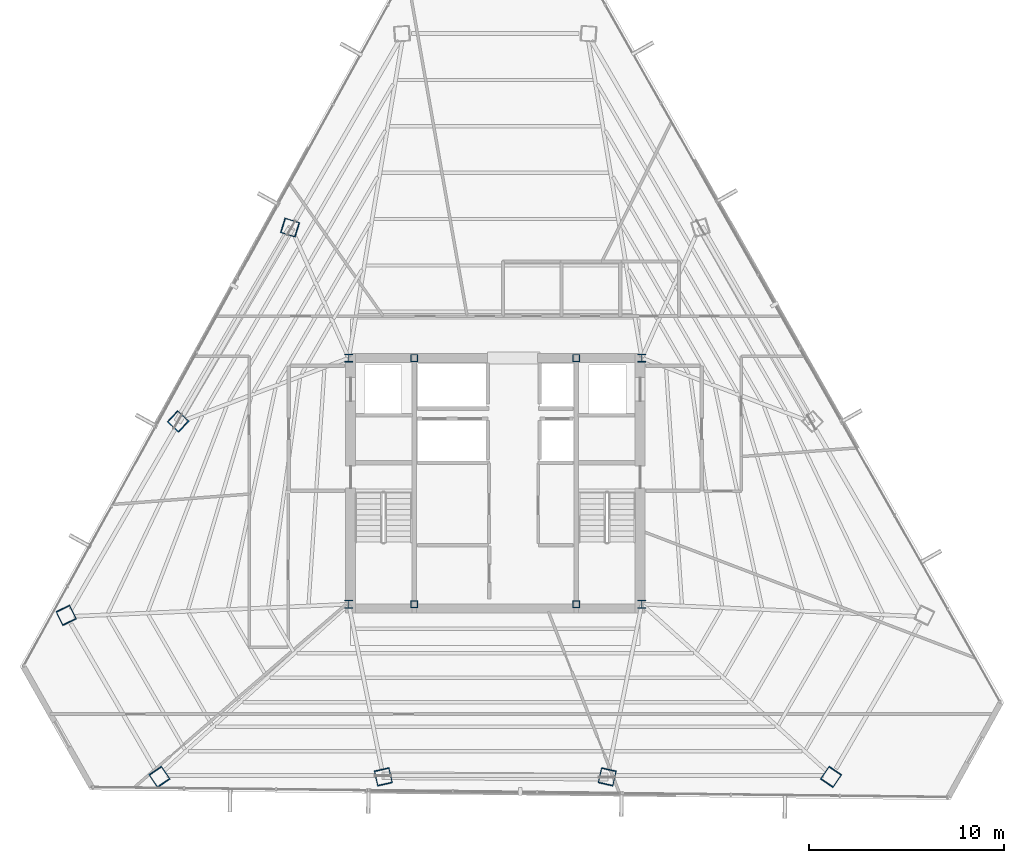
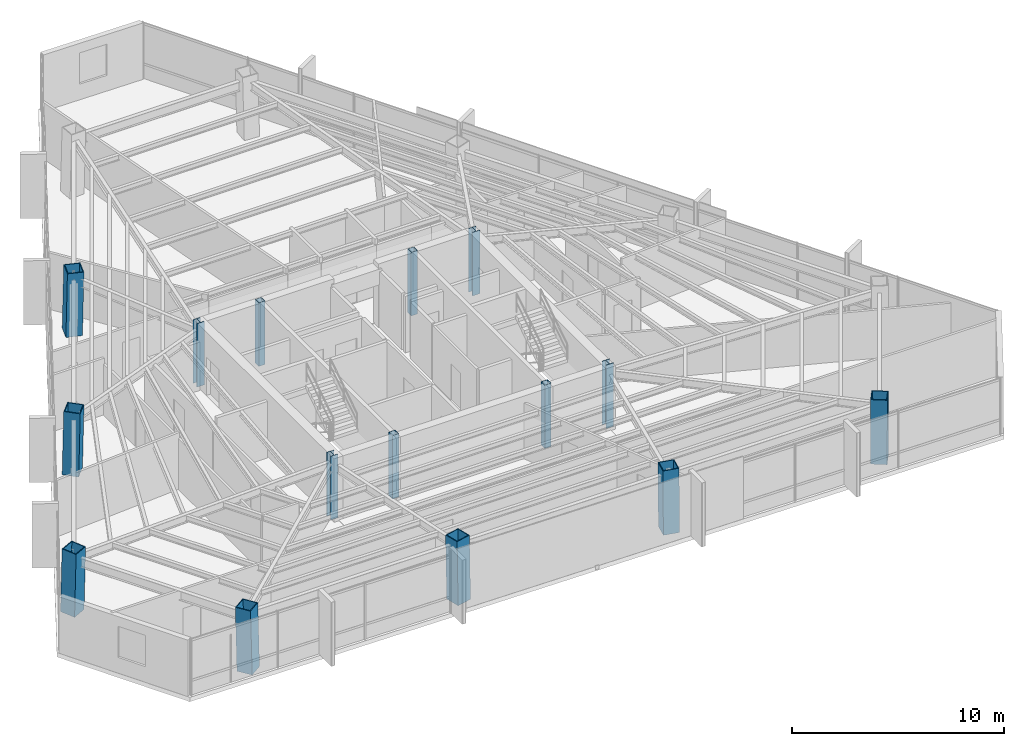
# One storey, part 1 of 40: 15 columns.
"""IFC4 building model written with IfcOpenShell, lengths in metres."""

from ifc_helpers import new_model, si_unit, direction, frame, origin, origin_2d, place, context, subcontext, project, spatial, hollow_rectangle, i_section, extrude, source, transform, mapped, material, material_profile, profile_set, type_object, type_shapes, element, save


model = new_model("IFC4")

# Units and contexts
model_context = context("Model", 3, precision=1e-05, world=origin(), true_north=direction((0.0, 1.0)))
body_context = subcontext(model_context, "Body", "Model", "MODEL_VIEW")
ifc_project = project(units=[si_unit("LENGTHUNIT", "METRE"), si_unit("AREAUNIT", "SQUARE_METRE"), si_unit("VOLUMEUNIT", "CUBIC_METRE"), si_unit("PLANEANGLEUNIT", "RADIAN"), si_unit("MASSUNIT", "GRAM", prefix="KILO")], contexts=[model_context])

# Site, building, storey
site_placement = place(None, origin())
site = spatial("IfcSite", under=ifc_project, at=site_placement, CompositionType="ELEMENT")
building_placement = place(site_placement, origin())
building = spatial("IfcBuilding", under=site, at=building_placement, Name="Caelisora Broadcast Tower", CompositionType="ELEMENT")
storey_placement = place(building_placement, frame((0.0, 0.0, 216.89990234375)))
storey = spatial("IfcBuildingStorey", under=building, at=storey_placement, Name="L57", CompositionType="ELEMENT", Elevation=216.89990234375)

# Columns
ifc_material_1 = material(Name="Steel Grade 350 (AS/NZS 3679.2)", Category="steel")
ifc_material_profile_1 = material_profile(ifc_material_1, i_section(OverallWidth=0.39990234375, OverallDepth=0.39990234375, WebThickness=0.02001953125, FlangeThickness=0.031982421875, at=origin_2d()), Name="Steel Grade 350 (AS/NZS 3679.2)")
ifc_profile_set_1 = profile_set([ifc_material_profile_1], Name="Steel Grade 350 (AS/NZS 3679.2)")
column_type_1 = type_object("IfcColumnType", Name="CC02", PredefinedType="COLUMN", material=ifc_profile_set_1)
shared_shape_1 = source(origin(), body_context, "Body", "SweptSolid", [
    extrude(i_section(OverallWidth=0.39990234375, OverallDepth=0.39990234375, WebThickness=0.02001953125, FlangeThickness=0.031982421875, at=origin_2d()), origin(), (0.0, 0.0, 1.0), 3.650146484375),
])
type_shapes(column_type_1, [shared_shape_1])
for number, where, z_axis, x_axis, name in (
    (1, (30.5, 17.39990234375, 0.0), (0.0, 0.0, 1.0), (1.0, 0.0, 0.0), "L57 column CC02"),
    (2, (45.5, 17.39990234375, 0.0), (0.0, 0.0, 1.0), (1.0, 0.0, 0.0), "L57 column CC02"),
    (3, (45.5, 30.0, 0.0), (0.0, 0.0, 1.0), (1.0, 0.0, 0.0), "L57 column CC02"),
    (4, (30.5, 30.0, 0.0), (0.0, 0.0, 1.0), (1.0, 0.0, 0.0), "L57 column CC02"),
):
    element("IfcColumn", number, at=place(storey_placement, frame(where, z_axis=z_axis, x_axis=x_axis)), inside=storey, type_object=column_type_1, Name=name, PredefinedType="COLUMN", context=body_context, shape_type="MappedRepresentation", body=[
        mapped(shared_shape_1, transform((0.0, 0.0, 0.0), scale=1.0)),
    ])
ifc_material_2 = material(Name="Steel Grade 350 L15 (AS/NZS 3678)", Category="steel")
ifc_material_profile_2 = material_profile(ifc_material_2, hollow_rectangle(XDim=0.800048828125, YDim=0.800048828125, WallThickness=0.044921875, at=origin_2d()), Name="Steel Grade 350 L15 (AS/NZS 3678)")
ifc_profile_set_2 = profile_set([ifc_material_profile_2], Name="Steel Grade 350 L15 (AS/NZS 3678)")
column_type_2 = type_object("IfcColumnType", Name="MC05", PredefinedType="COLUMN", material=ifc_profile_set_2)
shared_shape_2 = source(origin(), body_context, "Body", "SweptSolid", [
    extrude(hollow_rectangle(XDim=0.800048828125, YDim=0.800048828125, WallThickness=0.044921875, at=origin_2d()), origin(), (0.0, 0.0, 1.0), 3.65087890625),
])
for number, where, z_axis, x_axis, name in (
    (5, (27.483154296875, 36.685302734375, 0.0), (0.019392689002, -0.006085292066, 0.99979342508), (0.299398805134, 0.954128060317, 0.0), "L57 column MC05"),
    (6, (21.755859375, 26.765380859375, 0.0), (0.014912302561, -0.01384236157, 0.999792984702), (0.680325028146, 0.732910537568, 0.0), "L57 column MC05"),
    (7, (32.272705078125, 8.549560546875, 0.0), (-0.004480382638, 0.019793929266, 0.999794042058), (-0.975326687046, -0.220766513622, 0.0), "L57 column MC05"),
    (8, (43.727294921875, 8.549560546875, 0.0), (0.004480382638, 0.019793929266, 0.999794042058), (-0.975326687046, 0.220766513622, 0.0), "L57 column MC05"),
):
    element("IfcColumn", number, at=place(storey_placement, frame(where, z_axis=z_axis, x_axis=x_axis)), inside=storey, type_object=column_type_2, Name=name, PredefinedType="COLUMN", context=body_context, shape_type="MappedRepresentation", body=[
        mapped(shared_shape_2, transform((0.0, 0.0, 0.0), scale=1.0)),
    ])
ifc_material_3 = material(Name="Steel Grade 350 (AS/NZS 1163 C350L0)", Category="steel")
ifc_material_profile_3 = material_profile(ifc_material_3, hollow_rectangle(XDim=0.35009765625, YDim=0.35009765625, WallThickness=0.01611328125, at=origin_2d()), Name="Steel Grade 350 (AS/NZS 1163 C350L0)")
ifc_profile_set_3 = profile_set([ifc_material_profile_3], Name="Steel Grade 350 (AS/NZS 1163 C350L0)")
column_type_3 = type_object("IfcColumnType", Name="CC07", PredefinedType="COLUMN", material=ifc_profile_set_3)
shared_shape_3 = source(origin(), body_context, "Body", "SweptSolid", [
    extrude(hollow_rectangle(XDim=0.35009765625, YDim=0.35009765625, WallThickness=0.01611328125, at=origin_2d()), origin(), (0.0, 0.0, 1.0), 3.650146484375),
])
type_shapes(column_type_3, [shared_shape_3])
for number, where, z_axis, x_axis, name in (
    (9, (33.85009765625, 17.39990234375, 0.0), (0.0, 0.0, 1.0), (1.0, 0.0, 0.0), "L57 column CC07"),
    (10, (42.14990234375, 17.39990234375, 0.0), (0.0, 0.0, 1.0), (1.0, 0.0, 0.0), "L57 column CC07"),
    (11, (33.85009765625, 30.0, 0.0), (0.0, 0.0, 1.0), (1.0, 0.0, 0.0), "L57 column CC07"),
    (12, (42.14990234375, 30.0, 0.0), (0.0, 0.0, 1.0), (1.0, 0.0, 0.0), "L57 column CC07"),
):
    element("IfcColumn", number, at=place(storey_placement, frame(where, z_axis=z_axis, x_axis=x_axis)), inside=storey, type_object=column_type_3, Name=name, PredefinedType="COLUMN", context=body_context, shape_type="MappedRepresentation", body=[
        mapped(shared_shape_3, transform((0.0, 0.0, 0.0), scale=1.0)),
    ])
shared_shape_4 = source(origin(), body_context, "Body", "SweptSolid", [
    extrude(hollow_rectangle(XDim=0.800048828125, YDim=0.800048828125, WallThickness=0.044921875, at=origin_2d()), origin(), (0.0, 0.0, 1.0), 3.651123046875),
])
type_shapes(column_type_2, [shared_shape_2, shared_shape_4])
for number, where, z_axis, x_axis, name in (
    (13, (16.028564453125, 16.84521484375, 0.0), (0.010431098089, -0.021530856313, 0.999713766245), (0.899947055326, 0.435999194506, 0.0), "L57 column MC05"),
    (14, (20.818115234375, 8.549560546875, 0.0), (-0.013440068782, 0.019792340097, 0.999713772949), (-0.827290216258, -0.561774775229, 0.0), "L57 column MC05"),
    (15, (55.181884765625, 8.549560546875, 0.0), (0.013440068782, 0.019792340097, 0.999713772949), (-0.827290216258, 0.561774775229, 0.0), "L57 column MC05"),
):
    element("IfcColumn", number, at=place(storey_placement, frame(where, z_axis=z_axis, x_axis=x_axis)), inside=storey, type_object=column_type_2, Name=name, PredefinedType="COLUMN", context=body_context, shape_type="MappedRepresentation", body=[
        mapped(shared_shape_4, transform((0.0, 0.0, 0.0), scale=1.0)),
    ])

save(model, "model.ifc")
